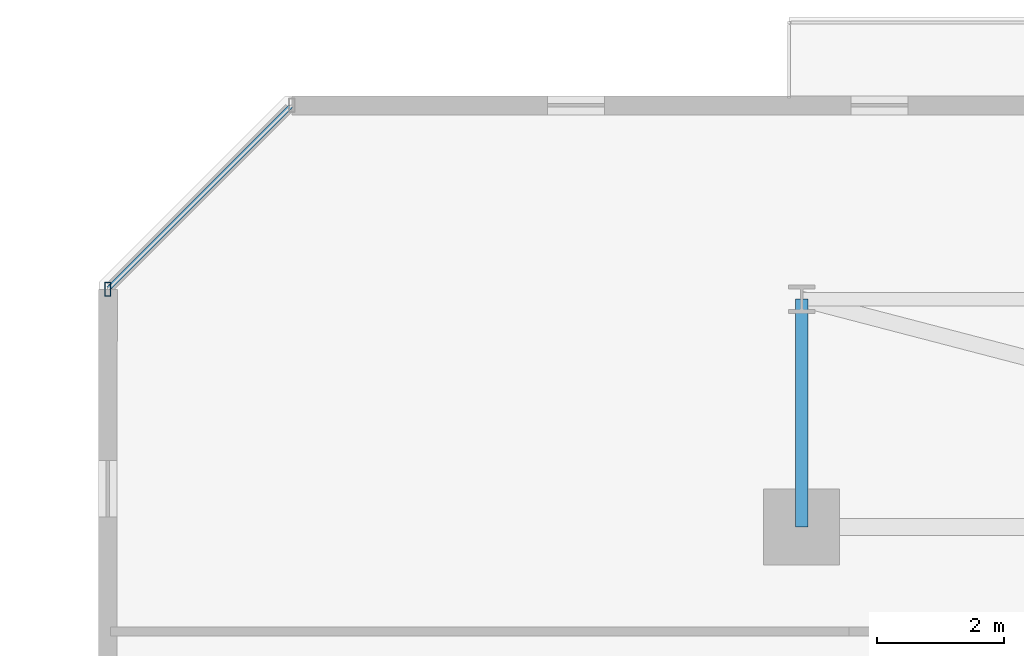
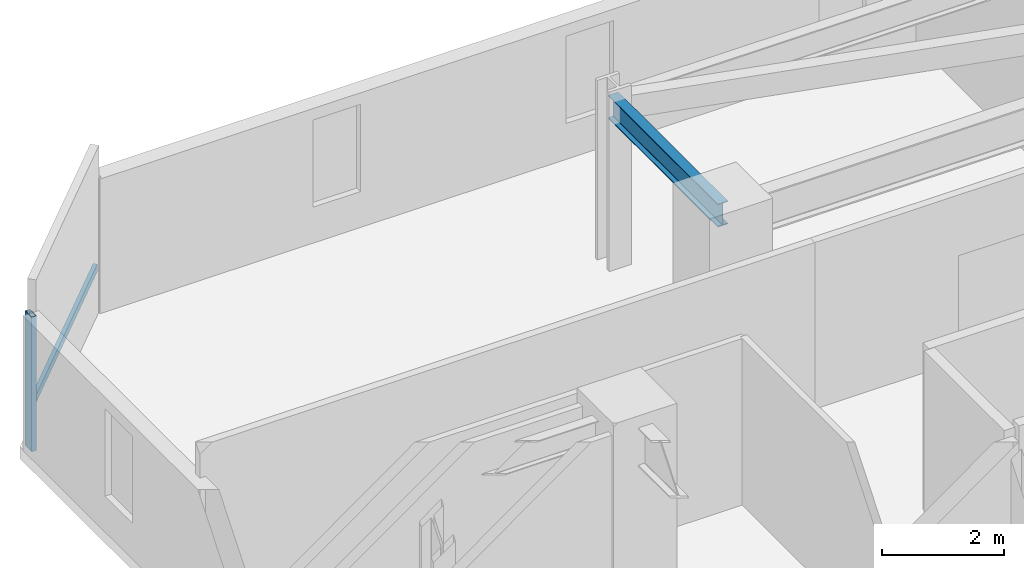
# One storey, part 7 of 33: 2 members, 1 beam, 1 element without a shape of its own.
"""IFC4 building model written with IfcOpenShell, lengths in metres."""

import ifcopenshell
import ifcopenshell.guid

model = None  # the IFC model being written
_history = None  # IfcOwnerHistory: only IFC2X3 demands one
_inside = {}  # id of a spatial element -> (the spatial element, [elements in it])
_under = {}  # id of a project, library or spatial element -> (it, [spatial elements below it])
_declared = {}  # id of a project -> (the project, [libraries it declares])
_typed = {}  # id of a type object -> (the type object, [elements of that type])
_made_of = {}  # id of a material, layer set ... -> (it, [elements and type objects made of it])


def new_model(schema):
    """Start an empty IFC model of exactly this schema.

    Asked for "IFC4X3", IfcOpenShell would pick the latest addendum, in which some entities
    have other attributes; the version numbers below select the first issue.
    IFC2X3 requires an IfcOwnerHistory on every rooted entity: one is made here for all.
    """
    global model, _history
    if schema == "IFC4X3":
        model = ifcopenshell.file(schema_version=(4, 3, 0, 0))
    else:
        model = ifcopenshell.file(schema=schema)
    _inside.clear()
    _under.clear()
    _declared.clear()
    _typed.clear()
    _made_of.clear()
    _history = None
    if model.schema == "IFC2X3":
        org = make("IfcOrganization", Name="unknown")
        user = make(
            "IfcPersonAndOrganization",
            ThePerson=make("IfcPerson", FamilyName="unknown"),
            TheOrganization=org,
        )
        app = make(
            "IfcApplication",
            ApplicationDeveloper=org,
            Version="unknown",
            ApplicationFullName="unknown",
            ApplicationIdentifier="unknown",
        )
        _history = make(
            "IfcOwnerHistory",
            OwningUser=user,
            OwningApplication=app,
            ChangeAction="ADDED",
            CreationDate=0,
        )
    return model


def make(cls, **values):
    """One entity of the class cls with the attributes given. An attribute that is None is left unset."""
    return model.create_entity(
        cls, **{name: value for name, value in values.items() if value is not None}
    )


def rooted(cls, **values):
    """An entity with a GlobalId (a new one), such as an element, a storey or a relation."""
    return make(cls, GlobalId=ifcopenshell.guid.new(), OwnerHistory=_history, **values)


def si_unit(unit_type, name, prefix=None):
    """IfcSIUnit, for example si_unit("LENGTHUNIT", "METRE", prefix="MILLI")."""
    return make("IfcSIUnit", UnitType=unit_type, Prefix=prefix, Name=name)


def assignment(units):
    """IfcUnitAssignment: the units of a project."""
    return None if units is None else make("IfcUnitAssignment", Units=units)


def point(xyz):
    """IfcCartesianPoint."""
    return None if xyz is None else make("IfcCartesianPoint", Coordinates=xyz)


def direction(xyz):
    """IfcDirection."""
    return None if xyz is None else make("IfcDirection", DirectionRatios=xyz)


def frame(location, z_axis=None, x_axis=None):
    """IfcAxis2Placement3D, a coordinate frame: its origin and axes. An axis left out is left unset."""
    return make(
        "IfcAxis2Placement3D",
        Location=point(location),
        Axis=direction(z_axis),
        RefDirection=direction(x_axis),
    )


def frame_2d(location, x_axis=None):
    """IfcAxis2Placement2D, a coordinate frame in the plane: its origin and x axis."""
    return make(
        "IfcAxis2Placement2D", Location=point(location), RefDirection=direction(x_axis)
    )


def origin():
    """The frame at (0, 0, 0) with its axes left unset."""
    return frame((0.0, 0.0, 0.0))


def origin_2d():
    """The frame at (0, 0) in the plane with its x axis left unset."""
    return frame_2d((0.0, 0.0))


def place(relative_to, where):
    """IfcLocalPlacement: puts the frame where relative to a parent placement (None: the world)."""
    return make(
        "IfcLocalPlacement", PlacementRelTo=relative_to, RelativePlacement=where
    )


def context(
    kind, dimensions, precision=None, world=None, true_north=None, identifier=None
):
    """IfcGeometricRepresentationContext, for example the 3D "Model" context."""
    return make(
        "IfcGeometricRepresentationContext",
        ContextIdentifier=identifier,
        ContextType=kind,
        CoordinateSpaceDimension=dimensions,
        Precision=precision,
        WorldCoordinateSystem=world,
        TrueNorth=true_north,
    )


def subcontext(parent, identifier, kind, view, scale=None):
    """IfcGeometricRepresentationSubContext, for example "Body" below "Model"."""
    return make(
        "IfcGeometricRepresentationSubContext",
        ContextIdentifier=identifier,
        ContextType=kind,
        ParentContext=parent,
        TargetScale=scale,
        TargetView=view,
    )


def project(units=None, contexts=None):
    """IfcProject with its units and contexts."""
    return rooted(
        "IfcProject",
        Name="project",
        RepresentationContexts=contexts,
        UnitsInContext=assignment(units),
    )


def spatial(cls, under=None, at=None, **own):
    """A site, building, storey or space (cls), placed at a placement, below another one or the project."""
    s = rooted(cls, ObjectPlacement=at, **own)
    if under is not None:
        _under.setdefault(under.id(), (under, []))[1].append(s)
    return s


def profile(cls, at=None, kind="AREA", **sizes):
    """A parametric profile (cls). Its sizes go by their IFC names, for example OverallWidth=200.0."""
    return make(cls, ProfileType=kind, Position=at, **sizes)


def hollow_rectangle(**sizes):
    """IfcRectangleHollowProfileDef."""
    return profile("IfcRectangleHollowProfileDef", **sizes)


def i_section(**sizes):
    """IfcIShapeProfileDef."""
    return profile("IfcIShapeProfileDef", **sizes)


def extrude(swept, where, along, depth):
    """IfcExtrudedAreaSolid: the profile swept, set in the frame where, extruded along a direction by depth."""
    return make(
        "IfcExtrudedAreaSolid",
        SweptArea=swept,
        Position=where,
        ExtrudedDirection=direction(along),
        Depth=depth,
    )


def shape(context_of_items, identifier, shape_type, items):
    """IfcShapeRepresentation: the items that make up one representation, for example the "Body"."""
    return make(
        "IfcShapeRepresentation",
        ContextOfItems=context_of_items,
        RepresentationIdentifier=identifier,
        RepresentationType=shape_type,
        Items=items,
    )


def material(Name=None, Category=None):
    """IfcMaterial."""
    return make("IfcMaterial", Name=Name, Category=Category)


def material_profile(
    of_material, cross_section, Name=None, Category=None, Priority=None
):
    """IfcMaterialProfile: a cross section and its material."""
    return make(
        "IfcMaterialProfile",
        Name=Name,
        Material=of_material,
        Profile=cross_section,
        Priority=Priority,
        Category=Category,
    )


def profile_set(profiles, Name=None, composite=None):
    """IfcMaterialProfileSet."""
    return make(
        "IfcMaterialProfileSet",
        Name=Name,
        MaterialProfiles=profiles,
        CompositeProfile=composite,
    )


def made_of(thing, what):
    """Note that an element or type object is made of a material, layer set ...; save() writes the relation."""
    if what is not None:
        _made_of.setdefault(what.id(), (what, []))[1].append(thing)
    return thing


def type_object(cls, material=None, **own):
    """A type object (cls), such as IfcWallType, which elements share."""
    return made_of(rooted(cls, **own), material)


def element(
    cls,
    number,
    at=None,
    inside=None,
    cuts=None,
    type_object=None,
    material=None,
    context=None,
    identifier="Body",
    shape_type=None,
    held_by="IfcProductDefinitionShape",
    body=None,
    shapes=None,
    **own,
):
    """One element of the class cls, such as IfcWall. Its Tag is "e" and its number.

    at: its placement. inside: the storey or other place that contains it. cuts: it is an
    opening in that element (IfcRelVoidsElement). A single representation is given by context,
    identifier, shape_type and body (its items); several are given by shapes. held_by: the class
    of the entity that holds the representations. save() writes the other relations.
    """
    e = rooted(cls, Tag="e%d" % number, ObjectPlacement=at, **own)
    if body is not None:
        shapes = [shape(context, identifier, shape_type, body)]
    if shapes is not None:
        e.Representation = make(held_by, Representations=shapes)
    if inside is not None:
        _inside.setdefault(inside.id(), (inside, []))[1].append(e)
    if cuts is not None:
        rooted(
            "IfcRelVoidsElement", RelatingBuildingElement=cuts, RelatedOpeningElement=e
        )
    if type_object is not None:
        _typed.setdefault(type_object.id(), (type_object, []))[1].append(e)
    return made_of(e, material)


def aggregate(whole, parts):
    """IfcRelAggregates: a whole, such as a stair, and the parts it consists of."""
    return rooted("IfcRelAggregates", RelatingObject=whole, RelatedObjects=parts)


def save(model, path):
    """Write the relations noted so far, then the file.

    IfcRelAggregates (storeys below a building ...), IfcRelContainedInSpatialStructure (elements
    in a storey), IfcRelDefinesByType, IfcRelAssociatesMaterial and IfcRelDeclares: one each for
    every whole, place, type object, material and project.
    """
    for whole, parts in _under.values():
        aggregate(whole, parts)
    for where, things in _inside.values():
        rooted(
            "IfcRelContainedInSpatialStructure",
            RelatedElements=things,
            RelatingStructure=where,
        )
    for kind, things in _typed.values():
        rooted("IfcRelDefinesByType", RelatedObjects=things, RelatingType=kind)
    for what, things in _made_of.values():
        rooted("IfcRelAssociatesMaterial", RelatedObjects=things, RelatingMaterial=what)
    for by, libraries in _declared.values():
        rooted("IfcRelDeclares", RelatingContext=by, RelatedDefinitions=libraries)
    model.write(path)


model = new_model("IFC4")

# Units and contexts
model_context = context("Model", 3, precision=1e-05, world=origin(), true_north=direction((0.0, 1.0)))
body_context = subcontext(model_context, "Body", "Model", "MODEL_VIEW")
ifc_project = project(units=[si_unit("LENGTHUNIT", "METRE"), si_unit("AREAUNIT", "SQUARE_METRE"), si_unit("VOLUMEUNIT", "CUBIC_METRE"), si_unit("PLANEANGLEUNIT", "RADIAN"), si_unit("MASSUNIT", "GRAM", prefix="KILO")], contexts=[model_context])

# Site, building, storey
site_placement = place(None, origin())
site = spatial("IfcSite", under=ifc_project, at=site_placement, CompositionType="ELEMENT")
building_placement = place(site_placement, origin())
building = spatial("IfcBuilding", under=site, at=building_placement, Name="Thornwick Lancets Civic Towers", CompositionType="ELEMENT")
storey_placement = place(building_placement, frame((0.0, 0.0, 112.5)))
storey = spatial("IfcBuildingStorey", under=building, at=storey_placement, Name="L29", CompositionType="ELEMENT", Elevation=112.5)

# Beam
ifc_material_1 = material(Name="Steel S355JR", Category="steel")
ifc_material_profile_1 = material_profile(ifc_material_1, i_section(OverallWidth=0.19189453125, OverallDepth=0.46337890625, WebThickness=0.010498046875, FlangeThickness=0.017578125, FilletRadius=0.01025390625, at=origin_2d()), Name="UKB 457x191x89")
ifc_profile_set_1 = profile_set([ifc_material_profile_1], Name="Steel S355JR")
beam_type = type_object("IfcBeamType", Name="BM_JOIST_457_89", PredefinedType="JOIST", material=ifc_profile_set_1)
beam_placement = place(storey_placement, frame((12.5, 44.300048828125, 3.12841796875), z_axis=(0.0, 1.0, 0.0), x_axis=(-1.0, 0.0, 0.0)))
element("IfcBeam", 1, at=beam_placement, inside=storey, type_object=beam_type, Name="BM-RAD-L29-A07", PredefinedType="JOIST", context=body_context, shape_type="SweptSolid", body=[
    extrude(i_section(OverallWidth=0.19189453125, OverallDepth=0.46337890625, WebThickness=0.010498046875, FlangeThickness=0.017578125, FilletRadius=0.01025390625, at=origin_2d()), origin(), (0.0, 0.0, 1.0), 3.599853515625),
])

# Curtain wall, members
ifc_material_2 = material(Name="Low-zone chamfered-corner unitised glass curtain wall", Category="glass")
curtain_wall_type = type_object("IfcCurtainWallType", Name="CW_SYS_03", PredefinedType="NOTDEFINED", material=ifc_material_2)
curtain_wall_placement = place(storey_placement, origin())
curtain_wall = element("IfcCurtainWall", 2, at=curtain_wall_placement, inside=storey, type_object=curtain_wall_type, Name="L29 Curtain Wall CW-L29-A-E5", PredefinedType="NOTDEFINED")
ifc_material_3 = material(Name="Thermally broken bronze aluminium S355", Category="steel")
ifc_material_profile_2 = material_profile(ifc_material_3, hollow_rectangle(XDim=0.090087890625, YDim=0.219970703125, WallThickness=0.00634765625, at=origin_2d()), Name="RHS 220x90x6.3")
ifc_profile_set_2 = profile_set([ifc_material_profile_2], Name="Thermally broken bronze aluminium S355")
member_type_1 = type_object("IfcMemberType", Name="CW_MUL_220", PredefinedType="MULLION", material=ifc_profile_set_2)
member_1_placement = place(storey_placement, frame((1.536376953125, 48.055419921875, 0.0), z_axis=(0.0, 0.0, 1.0), x_axis=(1.0, 0.0, 0.0)))
member_1 = element("IfcMember", 3, at=member_1_placement, type_object=member_type_1, Name="CW-L29-A-E5 Mullion 1", PredefinedType="MULLION", context=body_context, shape_type="SweptSolid", body=[
    extrude(hollow_rectangle(XDim=0.090087890625, YDim=0.219970703125, WallThickness=0.00634765625, at=origin_2d()), origin(), (0.0, 0.0, 1.0), 2.699951171875),
])
ifc_material_profile_3 = material_profile(ifc_material_3, hollow_rectangle(XDim=0.074951171875, YDim=0.14990234375, WallThickness=0.0048828125, at=origin_2d()), Name="RHS 150x75x5")
ifc_profile_set_3 = profile_set([ifc_material_profile_3], Name="Thermally broken bronze aluminium S355")
member_type_2 = type_object("IfcMemberType", Name="CW_TRN_150", PredefinedType="USERDEFINED", material=ifc_profile_set_3)
member_2_placement = place(storey_placement, frame((4.430419921875, 50.949462890625, 0.85009765625), z_axis=(-0.707106781187, -0.707106781187, 0.0), x_axis=(0.707106781187, -0.707106781187, 0.0)))
member_2 = element("IfcMember", 4, at=member_2_placement, type_object=member_type_2, Name="CW-L29-A-E5 Transom 0", ObjectType="TRANSOM", PredefinedType="USERDEFINED", context=body_context, shape_type="SweptSolid", body=[
    extrude(hollow_rectangle(XDim=0.074951171875, YDim=0.14990234375, WallThickness=0.0048828125, at=origin_2d()), origin(), (0.0, 0.0, 1.0), 4.07275390625),
])
aggregate(curtain_wall, [member_1, member_2])

save(model, "model.ifc")
